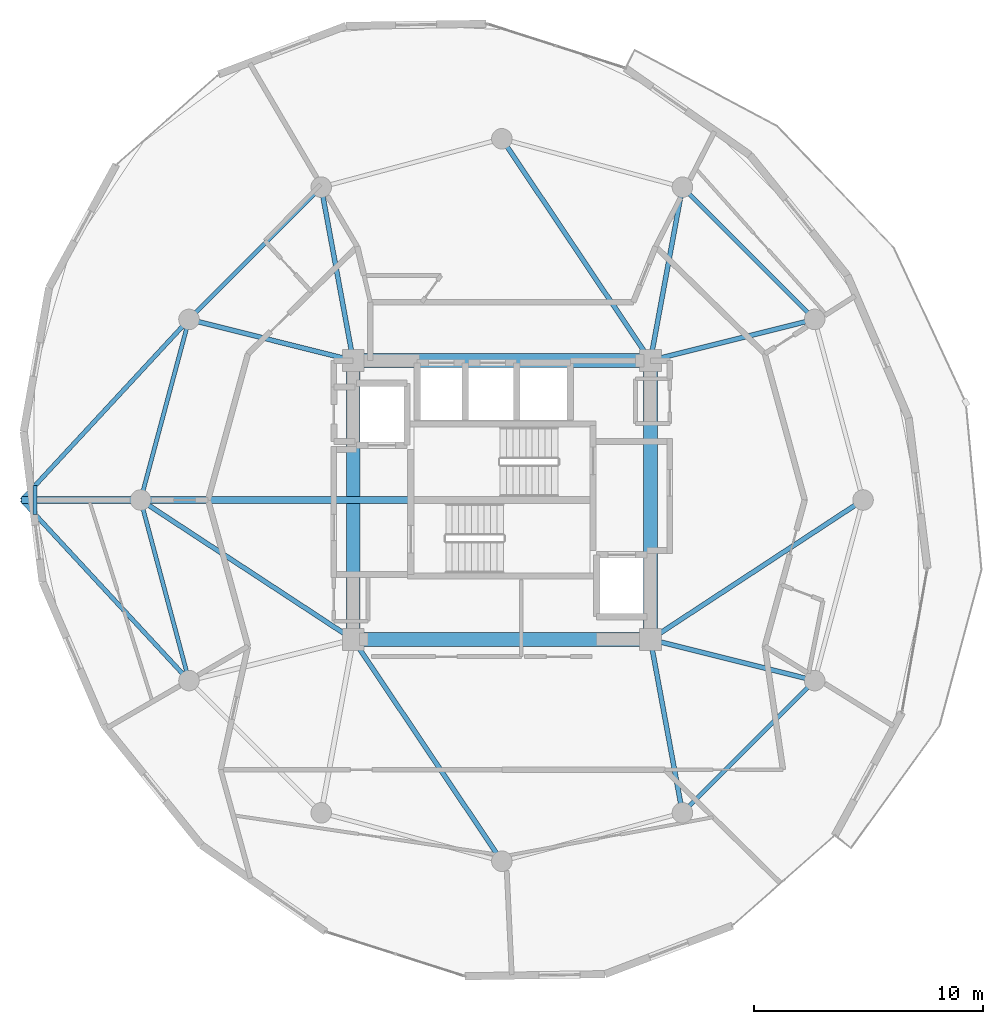
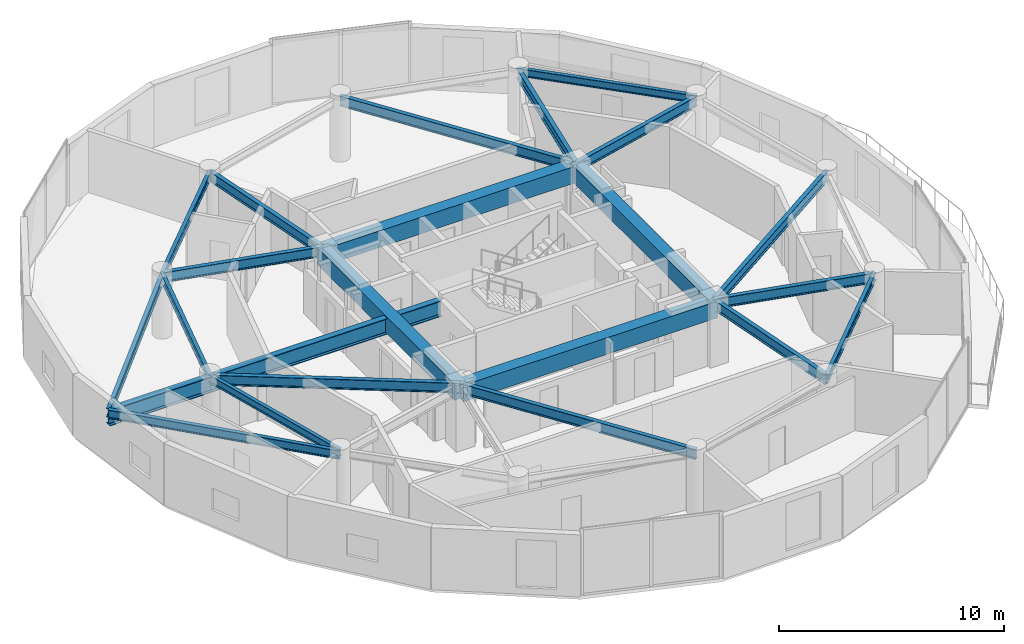
# One storey, part 5 of 18: 24 beams.
"""IFC4 building model written with IfcOpenShell, lengths in metres."""

import ifcopenshell
import ifcopenshell.guid

model = None  # the IFC model being written
_history = None  # IfcOwnerHistory: only IFC2X3 demands one
_inside = {}  # id of a spatial element -> (the spatial element, [elements in it])
_under = {}  # id of a project, library or spatial element -> (it, [spatial elements below it])
_declared = {}  # id of a project -> (the project, [libraries it declares])
_typed = {}  # id of a type object -> (the type object, [elements of that type])
_made_of = {}  # id of a material, layer set ... -> (it, [elements and type objects made of it])


def new_model(schema):
    """Start an empty IFC model of exactly this schema.

    Asked for "IFC4X3", IfcOpenShell would pick the latest addendum, in which some entities
    have other attributes; the version numbers below select the first issue.
    IFC2X3 requires an IfcOwnerHistory on every rooted entity: one is made here for all.
    """
    global model, _history
    if schema == "IFC4X3":
        model = ifcopenshell.file(schema_version=(4, 3, 0, 0))
    else:
        model = ifcopenshell.file(schema=schema)
    _inside.clear()
    _under.clear()
    _declared.clear()
    _typed.clear()
    _made_of.clear()
    _history = None
    if model.schema == "IFC2X3":
        org = make("IfcOrganization", Name="unknown")
        user = make(
            "IfcPersonAndOrganization",
            ThePerson=make("IfcPerson", FamilyName="unknown"),
            TheOrganization=org,
        )
        app = make(
            "IfcApplication",
            ApplicationDeveloper=org,
            Version="unknown",
            ApplicationFullName="unknown",
            ApplicationIdentifier="unknown",
        )
        _history = make(
            "IfcOwnerHistory",
            OwningUser=user,
            OwningApplication=app,
            ChangeAction="ADDED",
            CreationDate=0,
        )
    return model


def make(cls, **values):
    """One entity of the class cls with the attributes given. An attribute that is None is left unset."""
    return model.create_entity(
        cls, **{name: value for name, value in values.items() if value is not None}
    )


def rooted(cls, **values):
    """An entity with a GlobalId (a new one), such as an element, a storey or a relation."""
    return make(cls, GlobalId=ifcopenshell.guid.new(), OwnerHistory=_history, **values)


def si_unit(unit_type, name, prefix=None):
    """IfcSIUnit, for example si_unit("LENGTHUNIT", "METRE", prefix="MILLI")."""
    return make("IfcSIUnit", UnitType=unit_type, Prefix=prefix, Name=name)


def assignment(units):
    """IfcUnitAssignment: the units of a project."""
    return None if units is None else make("IfcUnitAssignment", Units=units)


def point(xyz):
    """IfcCartesianPoint."""
    return None if xyz is None else make("IfcCartesianPoint", Coordinates=xyz)


def direction(xyz):
    """IfcDirection."""
    return None if xyz is None else make("IfcDirection", DirectionRatios=xyz)


def frame(location, z_axis=None, x_axis=None):
    """IfcAxis2Placement3D, a coordinate frame: its origin and axes. An axis left out is left unset."""
    return make(
        "IfcAxis2Placement3D",
        Location=point(location),
        Axis=direction(z_axis),
        RefDirection=direction(x_axis),
    )


def frame_2d(location, x_axis=None):
    """IfcAxis2Placement2D, a coordinate frame in the plane: its origin and x axis."""
    return make(
        "IfcAxis2Placement2D", Location=point(location), RefDirection=direction(x_axis)
    )


def origin():
    """The frame at (0, 0, 0) with its axes left unset."""
    return frame((0.0, 0.0, 0.0))


def origin_2d():
    """The frame at (0, 0) in the plane with its x axis left unset."""
    return frame_2d((0.0, 0.0))


def place(relative_to, where):
    """IfcLocalPlacement: puts the frame where relative to a parent placement (None: the world)."""
    return make(
        "IfcLocalPlacement", PlacementRelTo=relative_to, RelativePlacement=where
    )


def context(
    kind, dimensions, precision=None, world=None, true_north=None, identifier=None
):
    """IfcGeometricRepresentationContext, for example the 3D "Model" context."""
    return make(
        "IfcGeometricRepresentationContext",
        ContextIdentifier=identifier,
        ContextType=kind,
        CoordinateSpaceDimension=dimensions,
        Precision=precision,
        WorldCoordinateSystem=world,
        TrueNorth=true_north,
    )


def subcontext(parent, identifier, kind, view, scale=None):
    """IfcGeometricRepresentationSubContext, for example "Body" below "Model"."""
    return make(
        "IfcGeometricRepresentationSubContext",
        ContextIdentifier=identifier,
        ContextType=kind,
        ParentContext=parent,
        TargetScale=scale,
        TargetView=view,
    )


def project(units=None, contexts=None):
    """IfcProject with its units and contexts."""
    return rooted(
        "IfcProject",
        Name="project",
        RepresentationContexts=contexts,
        UnitsInContext=assignment(units),
    )


def spatial(cls, under=None, at=None, **own):
    """A site, building, storey or space (cls), placed at a placement, below another one or the project."""
    s = rooted(cls, ObjectPlacement=at, **own)
    if under is not None:
        _under.setdefault(under.id(), (under, []))[1].append(s)
    return s


def profile(cls, at=None, kind="AREA", **sizes):
    """A parametric profile (cls). Its sizes go by their IFC names, for example OverallWidth=200.0."""
    return make(cls, ProfileType=kind, Position=at, **sizes)


def rectangle(**sizes):
    """IfcRectangleProfileDef."""
    return profile("IfcRectangleProfileDef", **sizes)


def i_section(**sizes):
    """IfcIShapeProfileDef."""
    return profile("IfcIShapeProfileDef", **sizes)


def extrude(swept, where, along, depth):
    """IfcExtrudedAreaSolid: the profile swept, set in the frame where, extruded along a direction by depth."""
    return make(
        "IfcExtrudedAreaSolid",
        SweptArea=swept,
        Position=where,
        ExtrudedDirection=direction(along),
        Depth=depth,
    )


def shape(context_of_items, identifier, shape_type, items):
    """IfcShapeRepresentation: the items that make up one representation, for example the "Body"."""
    return make(
        "IfcShapeRepresentation",
        ContextOfItems=context_of_items,
        RepresentationIdentifier=identifier,
        RepresentationType=shape_type,
        Items=items,
    )


def material(Name=None, Category=None):
    """IfcMaterial."""
    return make("IfcMaterial", Name=Name, Category=Category)


def material_profile(
    of_material, cross_section, Name=None, Category=None, Priority=None
):
    """IfcMaterialProfile: a cross section and its material."""
    return make(
        "IfcMaterialProfile",
        Name=Name,
        Material=of_material,
        Profile=cross_section,
        Priority=Priority,
        Category=Category,
    )


def profile_set(profiles, Name=None, composite=None):
    """IfcMaterialProfileSet."""
    return make(
        "IfcMaterialProfileSet",
        Name=Name,
        MaterialProfiles=profiles,
        CompositeProfile=composite,
    )


def made_of(thing, what):
    """Note that an element or type object is made of a material, layer set ...; save() writes the relation."""
    if what is not None:
        _made_of.setdefault(what.id(), (what, []))[1].append(thing)
    return thing


def type_object(cls, material=None, **own):
    """A type object (cls), such as IfcWallType, which elements share."""
    return made_of(rooted(cls, **own), material)


def element(
    cls,
    number,
    at=None,
    inside=None,
    cuts=None,
    type_object=None,
    material=None,
    context=None,
    identifier="Body",
    shape_type=None,
    held_by="IfcProductDefinitionShape",
    body=None,
    shapes=None,
    **own,
):
    """One element of the class cls, such as IfcWall. Its Tag is "e" and its number.

    at: its placement. inside: the storey or other place that contains it. cuts: it is an
    opening in that element (IfcRelVoidsElement). A single representation is given by context,
    identifier, shape_type and body (its items); several are given by shapes. held_by: the class
    of the entity that holds the representations. save() writes the other relations.
    """
    e = rooted(cls, Tag="e%d" % number, ObjectPlacement=at, **own)
    if body is not None:
        shapes = [shape(context, identifier, shape_type, body)]
    if shapes is not None:
        e.Representation = make(held_by, Representations=shapes)
    if inside is not None:
        _inside.setdefault(inside.id(), (inside, []))[1].append(e)
    if cuts is not None:
        rooted(
            "IfcRelVoidsElement", RelatingBuildingElement=cuts, RelatedOpeningElement=e
        )
    if type_object is not None:
        _typed.setdefault(type_object.id(), (type_object, []))[1].append(e)
    return made_of(e, material)


def aggregate(whole, parts):
    """IfcRelAggregates: a whole, such as a stair, and the parts it consists of."""
    return rooted("IfcRelAggregates", RelatingObject=whole, RelatedObjects=parts)


def save(model, path):
    """Write the relations noted so far, then the file.

    IfcRelAggregates (storeys below a building ...), IfcRelContainedInSpatialStructure (elements
    in a storey), IfcRelDefinesByType, IfcRelAssociatesMaterial and IfcRelDeclares: one each for
    every whole, place, type object, material and project.
    """
    for whole, parts in _under.values():
        aggregate(whole, parts)
    for where, things in _inside.values():
        rooted(
            "IfcRelContainedInSpatialStructure",
            RelatedElements=things,
            RelatingStructure=where,
        )
    for kind, things in _typed.values():
        rooted("IfcRelDefinesByType", RelatedObjects=things, RelatingType=kind)
    for what, things in _made_of.values():
        rooted("IfcRelAssociatesMaterial", RelatedObjects=things, RelatingMaterial=what)
    for by, libraries in _declared.values():
        rooted("IfcRelDeclares", RelatingContext=by, RelatedDefinitions=libraries)
    model.write(path)


model = new_model("IFC4")

# Units and contexts
model_context = context("Model", 3, precision=1e-05, world=origin(), true_north=direction((0.0, 1.0)))
body_context = subcontext(model_context, "Body", "Model", "MODEL_VIEW")
ifc_project = project(units=[si_unit("LENGTHUNIT", "METRE"), si_unit("AREAUNIT", "SQUARE_METRE"), si_unit("VOLUMEUNIT", "CUBIC_METRE"), si_unit("PLANEANGLEUNIT", "RADIAN"), si_unit("MASSUNIT", "GRAM", prefix="KILO")], contexts=[model_context])

# Site, building, storey
site_placement = place(None, origin())
site = spatial("IfcSite", under=ifc_project, at=site_placement, CompositionType="ELEMENT")
building_placement = place(site_placement, origin())
building = spatial("IfcBuilding", under=site, at=building_placement, Name="Solvirekh Grand Hotel", CompositionType="ELEMENT")
storey_placement = place(building_placement, frame((0.0, 0.0, 187.60009765625)))
storey = spatial("IfcBuildingStorey", under=building, at=storey_placement, Name="L48", CompositionType="ELEMENT", Elevation=187.60009765625)

# Beams
ifc_material_1 = material(Name="Concrete C50/60", Category="concrete")
ifc_material_profile_1 = material_profile(ifc_material_1, rectangle(XDim=0.60009765625, YDim=0.89990234375, at=origin_2d()), Name="RC BEAM 600X900")
ifc_profile_set_1 = profile_set([ifc_material_profile_1], Name="Concrete C50/60")
beam_type_1 = type_object("IfcBeamType", Name="Beam_Core_RC900", PredefinedType="BEAM", material=ifc_profile_set_1)
beam_1_placement = place(storey_placement, frame((-6.5, -6.10009765625, 2.909912109375), z_axis=(1.0, 0.0, 0.0), x_axis=(0.0, 1.0, 0.0)))
element("IfcBeam", 1, at=beam_1_placement, inside=storey, type_object=beam_type_1, Name="L48 core coupling ring beam 1", PredefinedType="BEAM", context=body_context, shape_type="SweptSolid", body=[
    extrude(rectangle(XDim=0.60009765625, YDim=0.89990234375, at=origin_2d()), origin(), (0.0, 0.0, 1.0), 13.0),
])
beam_2_placement = place(storey_placement, frame((6.5, -6.10009765625, 2.909912109375), z_axis=(0.0, 1.0, 0.0), x_axis=(-1.0, 0.0, 0.0)))
element("IfcBeam", 2, at=beam_2_placement, inside=storey, type_object=beam_type_1, Name="L48 core coupling ring beam 2", PredefinedType="BEAM", context=body_context, shape_type="SweptSolid", body=[
    extrude(rectangle(XDim=0.60009765625, YDim=0.89990234375, at=origin_2d()), origin(), (0.0, 0.0, 1.0), 12.2001953125),
])
beam_3_placement = place(storey_placement, frame((6.5, 6.10009765625, 2.909912109375), z_axis=(-1.0, 0.0, 0.0), x_axis=(0.0, -1.0, 0.0)))
element("IfcBeam", 3, at=beam_3_placement, inside=storey, type_object=beam_type_1, Name="L48 core coupling ring beam 3", PredefinedType="BEAM", context=body_context, shape_type="SweptSolid", body=[
    extrude(rectangle(XDim=0.60009765625, YDim=0.89990234375, at=origin_2d()), origin(), (0.0, 0.0, 1.0), 13.0),
])
beam_4_placement = place(storey_placement, frame((-6.5, 6.10009765625, 2.909912109375), z_axis=(0.0, -1.0, 0.0), x_axis=(1.0, 0.0, 0.0)))
element("IfcBeam", 4, at=beam_4_placement, inside=storey, type_object=beam_type_1, Name="L48 core coupling ring beam 4", PredefinedType="BEAM", context=body_context, shape_type="SweptSolid", body=[
    extrude(rectangle(XDim=0.60009765625, YDim=0.89990234375, at=origin_2d()), origin(), (0.0, 0.0, 1.0), 12.2001953125),
])
ifc_material_2 = material(Name="Steel S460", Category="steel")
ifc_material_profile_2 = material_profile(ifc_material_2, i_section(OverallWidth=0.302001953125, OverallDepth=0.85498046875, WebThickness=0.01904296875, FlangeThickness=0.032958984375, FilletRadius=0.01806640625, at=origin_2d()), Name="W840X299")
ifc_profile_set_2 = profile_set([ifc_material_profile_2], Name="Steel S460")
beam_type_2 = type_object("IfcBeamType", Name="Beam_PoolTie_W840", PredefinedType="BEAM", material=ifc_profile_set_2)
beam_5_placement = place(storey_placement, frame((-3.989990234375, 0.0, 2.86181640625), z_axis=(-1.0, 0.0, 0.0), x_axis=(0.0, -1.0, 0.0)))
element("IfcBeam", 5, at=beam_5_placement, inside=storey, type_object=beam_type_2, Name="L49 sky-garden back-span tie girder", PredefinedType="BEAM", context=body_context, shape_type="SweptSolid", body=[
    extrude(i_section(OverallWidth=0.302001953125, OverallDepth=0.85498046875, WebThickness=0.01904296875, FlangeThickness=0.032958984375, FilletRadius=0.01806640625, at=origin_2d()), origin(), (0.0, 0.0, 1.0), 11.81005859375),
])
beam_6_placement = place(storey_placement, frame((-15.800048828125, 0.0, 2.86181640625), z_axis=(-1.0, 0.0, 0.0), x_axis=(0.0, -1.0, 0.0)))
element("IfcBeam", 6, at=beam_6_placement, inside=storey, type_object=beam_type_2, Name="L49 sky-garden primary cantilever bracket", PredefinedType="BEAM", context=body_context, shape_type="SweptSolid", body=[
    extrude(i_section(OverallWidth=0.302001953125, OverallDepth=0.85498046875, WebThickness=0.01904296875, FlangeThickness=0.032958984375, FilletRadius=0.01806640625, at=origin_2d()), origin(), (0.0, 0.0, 1.0), 5.199951171875),
])
ifc_material_3 = material(Name="Steel S355", Category="steel")
ifc_material_profile_3 = material_profile(ifc_material_3, i_section(OverallWidth=0.194091796875, OverallDepth=0.468994140625, WebThickness=0.010986328125, FlangeThickness=0.01904296875, FilletRadius=0.012939453125, at=origin_2d()), Name="W460X106")
ifc_profile_set_3 = profile_set([ifc_material_profile_3], Name="Steel S355")
beam_type_3 = type_object("IfcBeamType", Name="Beam_Radial_W460H", PredefinedType="BEAM", material=ifc_profile_set_3)
for number, where, z_axis, x_axis, name in (
    (7, (-13.68310546875, 7.89990234375, 3.054931640625), (-0.679516534035, -0.733660193804, 0.0), (0.733660193804, -0.679516534035, 0.0), "L49 sky-garden edge tie beam 1"),
    (8, (-13.68310546875, -7.89990234375, 3.054931640625), (-0.679516534035, 0.733660193804, 0.0), (-0.733660193804, -0.679516534035, 0.0), "L49 sky-garden edge tie beam 2"),
):
    element("IfcBeam", number, at=place(storey_placement, frame(where, z_axis=z_axis, x_axis=x_axis)), inside=storey, type_object=beam_type_3, Name=name, PredefinedType="BEAM", context=body_context, shape_type="SweptSolid", body=[
        extrude(i_section(OverallWidth=0.194091796875, OverallDepth=0.468994140625, WebThickness=0.010986328125, FlangeThickness=0.01904296875, FilletRadius=0.012939453125, at=origin_2d()), origin(), (0.0, 0.0, 1.0), 10.767822265625),
    ])
beam_7_placement = place(storey_placement, frame((-20.4208984375, 0.625, 3.054931640625), z_axis=(0.0, -1.0, 0.0), x_axis=(1.0, 0.0, 0.0)))
element("IfcBeam", 9, at=beam_7_placement, inside=storey, type_object=beam_type_3, Name="L49 sky-garden outer cross trimmer", PredefinedType="BEAM", context=body_context, shape_type="SweptSolid", body=[
    extrude(i_section(OverallWidth=0.194091796875, OverallDepth=0.468994140625, WebThickness=0.010986328125, FlangeThickness=0.01904296875, FilletRadius=0.012939453125, at=origin_2d()), origin(), (0.0, 0.0, 1.0), 1.25),
])
ifc_material_profile_4 = material_profile(ifc_material_3, i_section(OverallWidth=0.2119140625, OverallDepth=0.5439453125, WebThickness=0.011962890625, FlangeThickness=0.01904296875, FilletRadius=0.013916015625, at=origin_2d()), Name="W530X123")
ifc_profile_set_4 = profile_set([ifc_material_profile_4], Name="Steel S355")
beam_type_4 = type_object("IfcBeamType", Name="Beam_Radial_W530H", PredefinedType="BEAM", material=ifc_profile_set_4)
beam_8_placement = place(storey_placement, frame((6.5, -6.10009765625, 3.087890625), z_axis=(0.836174064962, 0.548464158432, 0.0), x_axis=(-0.548464158432, 0.836174064962, 0.0)))
element("IfcBeam", 10, at=beam_8_placement, inside=storey, type_object=beam_type_4, Name="L48 radial floor beam R01", PredefinedType="BEAM", context=body_context, shape_type="SweptSolid", body=[
    extrude(i_section(OverallWidth=0.2119140625, OverallDepth=0.5439453125, WebThickness=0.011962890625, FlangeThickness=0.01904296875, FilletRadius=0.013916015625, at=origin_2d()), origin(), (0.0, 0.0, 1.0), 11.1220703125),
])
beam_9_placement = place(storey_placement, frame((6.5, 6.10009765625, 3.087890625), z_axis=(0.970014367692, 0.243047580675, 0.0), x_axis=(-0.243047580675, 0.970014367692, 0.0)))
element("IfcBeam", 11, at=beam_9_placement, inside=storey, type_object=beam_type_4, Name="L48 radial floor beam R02", PredefinedType="BEAM", context=body_context, shape_type="SweptSolid", body=[
    extrude(i_section(OverallWidth=0.2119140625, OverallDepth=0.5439453125, WebThickness=0.011962890625, FlangeThickness=0.01904296875, FilletRadius=0.013916015625, at=origin_2d()), origin(), (0.0, 0.0, 1.0), 7.4052734375),
])
beam_10_placement = place(storey_placement, frame((6.5, 6.10009765625, 3.087890625), z_axis=(0.181542769111, 0.983383049978, 0.0), x_axis=(-0.983383049978, 0.181542769111, 0.0)))
element("IfcBeam", 12, at=beam_10_placement, inside=storey, type_object=beam_type_4, Name="L48 radial floor beam R03", PredefinedType="BEAM", context=body_context, shape_type="SweptSolid", body=[
    extrude(i_section(OverallWidth=0.2119140625, OverallDepth=0.5439453125, WebThickness=0.011962890625, FlangeThickness=0.01904296875, FilletRadius=0.013916015625, at=origin_2d()), origin(), (0.0, 0.0, 1.0), 7.711181640625),
])
beam_11_placement = place(storey_placement, frame((6.5, 6.10009765625, 3.087890625), z_axis=(-0.556676926176, 0.830729077295, 0.0), x_axis=(-0.830729077295, -0.556676926176, 0.0)))
element("IfcBeam", 13, at=beam_11_placement, inside=storey, type_object=beam_type_4, Name="L48 radial floor beam R04", PredefinedType="BEAM", context=body_context, shape_type="SweptSolid", body=[
    extrude(i_section(OverallWidth=0.2119140625, OverallDepth=0.5439453125, WebThickness=0.011962890625, FlangeThickness=0.01904296875, FilletRadius=0.013916015625, at=origin_2d()), origin(), (0.0, 0.0, 1.0), 11.676513671875),
])
beam_12_placement = place(storey_placement, frame((-6.5, 6.10009765625, 3.087890625), z_axis=(-0.181542769111, 0.983383049978, 0.0), x_axis=(-0.983383049978, -0.181542769111, 0.0)))
element("IfcBeam", 14, at=beam_12_placement, inside=storey, type_object=beam_type_4, Name="L48 radial floor beam R05", PredefinedType="BEAM", context=body_context, shape_type="SweptSolid", body=[
    extrude(i_section(OverallWidth=0.2119140625, OverallDepth=0.5439453125, WebThickness=0.011962890625, FlangeThickness=0.01904296875, FilletRadius=0.013916015625, at=origin_2d()), origin(), (0.0, 0.0, 1.0), 7.711181640625),
])
beam_13_placement = place(storey_placement, frame((-6.5, 6.10009765625, 3.087890625), z_axis=(-0.970014367692, 0.243047580675, 0.0), x_axis=(-0.243047580675, -0.970014367692, 0.0)))
element("IfcBeam", 15, at=beam_13_placement, inside=storey, type_object=beam_type_4, Name="L48 radial floor beam R06", PredefinedType="BEAM", context=body_context, shape_type="SweptSolid", body=[
    extrude(i_section(OverallWidth=0.2119140625, OverallDepth=0.5439453125, WebThickness=0.011962890625, FlangeThickness=0.01904296875, FilletRadius=0.013916015625, at=origin_2d()), origin(), (0.0, 0.0, 1.0), 7.4052734375),
])
beam_14_placement = place(storey_placement, frame((-6.5, -6.10009765625, 3.087890625), z_axis=(-0.836174064962, 0.548464158432, 0.0), x_axis=(-0.548464158432, -0.836174064962, 0.0)))
element("IfcBeam", 16, at=beam_14_placement, inside=storey, type_object=beam_type_4, Name="L48 radial floor beam R07", PredefinedType="BEAM", context=body_context, shape_type="SweptSolid", body=[
    extrude(i_section(OverallWidth=0.2119140625, OverallDepth=0.5439453125, WebThickness=0.011962890625, FlangeThickness=0.01904296875, FilletRadius=0.013916015625, at=origin_2d()), origin(), (0.0, 0.0, 1.0), 11.1220703125),
])
beam_15_placement = place(storey_placement, frame((-6.5, -6.10009765625, 3.087890625), z_axis=(0.556676926176, -0.830729077295, 0.0), x_axis=(0.830729077295, 0.556676926176, 0.0)))
element("IfcBeam", 17, at=beam_15_placement, inside=storey, type_object=beam_type_4, Name="L48 radial floor beam R10", PredefinedType="BEAM", context=body_context, shape_type="SweptSolid", body=[
    extrude(i_section(OverallWidth=0.2119140625, OverallDepth=0.5439453125, WebThickness=0.011962890625, FlangeThickness=0.01904296875, FilletRadius=0.013916015625, at=origin_2d()), origin(), (0.0, 0.0, 1.0), 11.676513671875),
])
beam_16_placement = place(storey_placement, frame((6.5, -6.10009765625, 3.087890625), z_axis=(0.181542769111, -0.983383049978, 0.0), x_axis=(0.983383049978, 0.181542769111, 0.0)))
element("IfcBeam", 18, at=beam_16_placement, inside=storey, type_object=beam_type_4, Name="L48 radial floor beam R11", PredefinedType="BEAM", context=body_context, shape_type="SweptSolid", body=[
    extrude(i_section(OverallWidth=0.2119140625, OverallDepth=0.5439453125, WebThickness=0.011962890625, FlangeThickness=0.01904296875, FilletRadius=0.013916015625, at=origin_2d()), origin(), (0.0, 0.0, 1.0), 7.711181640625),
])
beam_17_placement = place(storey_placement, frame((6.5, -6.10009765625, 3.087890625), z_axis=(0.970014367692, -0.243047580675, 0.0), x_axis=(0.243047580675, 0.970014367692, 0.0)))
element("IfcBeam", 19, at=beam_17_placement, inside=storey, type_object=beam_type_4, Name="L48 radial floor beam R12", PredefinedType="BEAM", context=body_context, shape_type="SweptSolid", body=[
    extrude(i_section(OverallWidth=0.2119140625, OverallDepth=0.5439453125, WebThickness=0.011962890625, FlangeThickness=0.01904296875, FilletRadius=0.013916015625, at=origin_2d()), origin(), (0.0, 0.0, 1.0), 7.4052734375),
])
ifc_material_profile_5 = material_profile(ifc_material_3, i_section(OverallWidth=0.180908203125, OverallDepth=0.4169921875, WebThickness=0.010009765625, FlangeThickness=0.01611328125, FilletRadius=0.011962890625, at=origin_2d()), Name="W410X85")
ifc_profile_set_5 = profile_set([ifc_material_profile_5], Name="Steel S355")
beam_type_5 = type_object("IfcBeamType", Name="Spandrel_Ring_W410", PredefinedType="SPANDREL", material=ifc_profile_set_5)
for number, where, z_axis, x_axis, name in (
    (20, (13.68310546875, 7.89990234375, 3.15185546875), (-0.707106781187, 0.707106781187, 0.0), (-0.707106781187, -0.707106781187, 0.0), "L48 perimeter spandrel beam 2"),
    (21, (-7.89990234375, 13.68310546875, 3.15185546875), (-0.707106781187, -0.707106781187, 0.0), (0.707106781187, -0.707106781187, 0.0), "L48 perimeter spandrel beam 5"),
    (22, (-13.68310546875, 7.89990234375, 3.15185546875), (-0.258838541915, -0.965920601923, 0.0), (0.965920601923, -0.258838541915, 0.0), "L48 perimeter spandrel beam 6"),
    (23, (-15.800048828125, 0.0, 3.15185546875), (0.258838541915, -0.965920601923, 0.0), (0.965920601923, 0.258838541915, 0.0), "L48 perimeter spandrel beam 7"),
    (24, (7.89990234375, -13.68310546875, 3.15185546875), (0.707106781187, 0.707106781187, 0.0), (-0.707106781187, 0.707106781187, 0.0), "L48 perimeter spandrel beam 11"),
):
    element("IfcBeam", number, at=place(storey_placement, frame(where, z_axis=z_axis, x_axis=x_axis)), inside=storey, type_object=beam_type_5, Name=name, PredefinedType="SPANDREL", context=body_context, shape_type="SweptSolid", body=[
        extrude(i_section(OverallWidth=0.180908203125, OverallDepth=0.4169921875, WebThickness=0.010009765625, FlangeThickness=0.01611328125, FilletRadius=0.011962890625, at=origin_2d()), origin(), (0.0, 0.0, 1.0), 8.1787109375),
    ])

save(model, "model.ifc")
